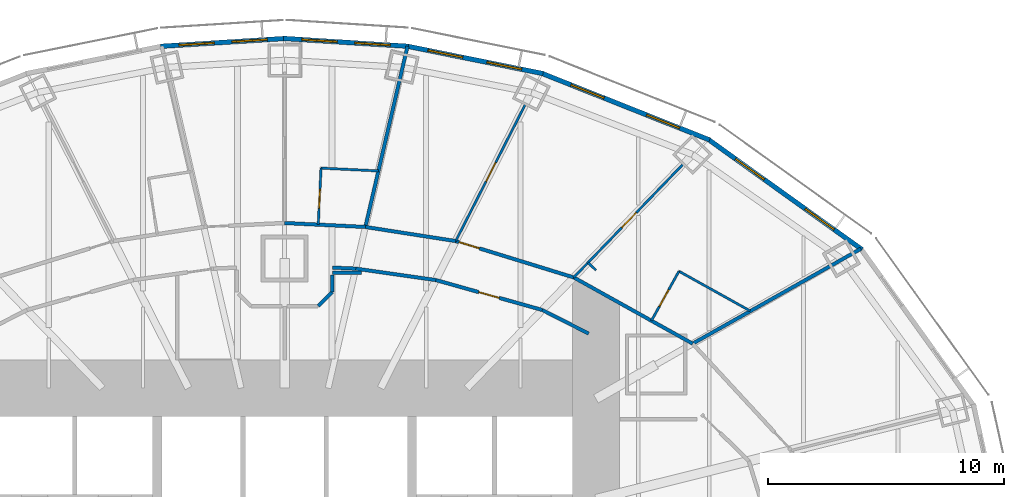
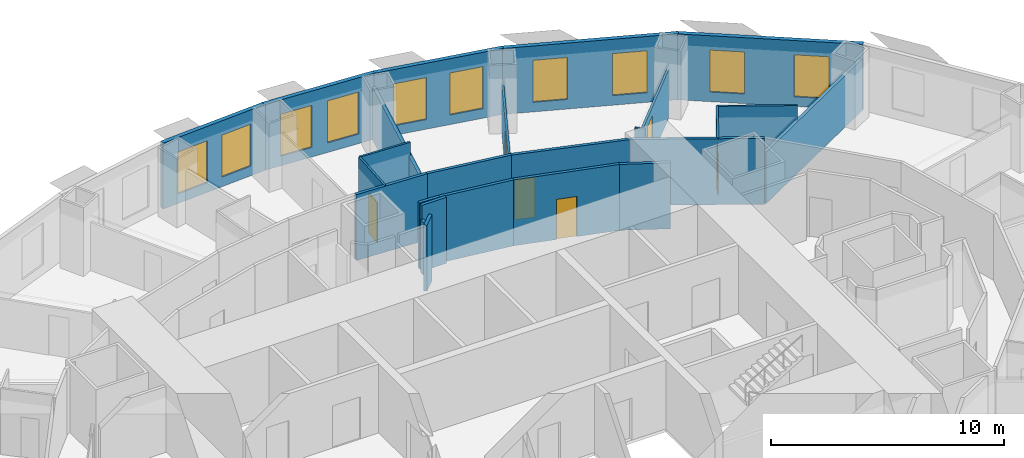
# One storey, part 10 of 15: 25 walls, 10 windows, 6 doors, 16 openings.
"""IFC4 building model written with IfcOpenShell, lengths in metres."""

from ifc_helpers import new_model, si_unit, direction, frame, frame_2d, origin, place, context, subcontext, project, spatial, rectangle, extrude, material, layer, layer_set, type_object, element, fill, save


model = new_model("IFC4")

# Units and contexts
model_context = context("Model", 3, precision=1e-05, world=origin(), true_north=direction((0.0, 1.0)))
body_context = subcontext(model_context, "Body", "Model", "MODEL_VIEW")
ifc_project = project(units=[si_unit("LENGTHUNIT", "METRE"), si_unit("AREAUNIT", "SQUARE_METRE"), si_unit("VOLUMEUNIT", "CUBIC_METRE"), si_unit("PLANEANGLEUNIT", "RADIAN"), si_unit("MASSUNIT", "GRAM", prefix="KILO")], contexts=[model_context])

# Site, building, storey
site_placement = place(None, origin())
site = spatial("IfcSite", under=ifc_project, at=site_placement, CompositionType="ELEMENT")
building_placement = place(site_placement, origin())
building = spatial("IfcBuilding", under=site, at=building_placement, Name="Lantaw Convention Tower", CompositionType="ELEMENT")
storey_placement = place(building_placement, frame((0.0, 0.0, 94.60009765625)))
storey = spatial("IfcBuildingStorey", under=building, at=storey_placement, Name="L22", CompositionType="ELEMENT", Elevation=94.60009765625)

# Walls
ifc_material_1 = material(Name="Gypsum board on steel studs", Category="steel")
ifc_layer_1 = layer(ifc_material_1, 0.14990234375)
ifc_layer_set_1 = layer_set([ifc_layer_1], Name="Back of house wall 150")
wall_type_1 = type_object("IfcWallType", Name="Back of house wall 150", PredefinedType="PARTITIONING", material=ifc_layer_set_1)
wall_1_placement = place(storey_placement, frame((3.2578125, 12.89990234375, 0.0), z_axis=(0.0, 0.0, 1.0), x_axis=(-1.0, 0.0, 0.0)))
element("IfcWall", 1, at=wall_1_placement, inside=storey, type_object=wall_type_1, Name="Back of house wall 150", PredefinedType="PARTITIONING", context=body_context, shape_type="SweptSolid", body=[
    extrude(rectangle(XDim=1.222900390625, YDim=0.14990234375, at=frame_2d((0.611328125, 0.0))), origin(), (0.0, 0.0, 1.0), 3.449951171875),
])
wall_2_placement = place(storey_placement, frame((2.02490234375, 12.796875, 0.0), z_axis=(0.0, 0.0, 1.0), x_axis=(0.0, -1.0, 0.0)))
element("IfcWall", 2, at=wall_2_placement, inside=storey, type_object=wall_type_1, Name="Back of house wall 150", PredefinedType="PARTITIONING", context=body_context, shape_type="SweptSolid", body=[
    extrude(rectangle(XDim=0.721435546875, YDim=0.14990234375, at=frame_2d((0.36083984375, 0.0))), origin(), (0.0, 0.0, 1.0), 2.748779296875),
])
wall_3_placement = place(storey_placement, frame((2.02490234375, 12.075439453125, 0.0), z_axis=(0.0, 0.0, 1.0), x_axis=(-0.707106781187, -0.707106781187, 0.0)))
element("IfcWall", 3, at=wall_3_placement, inside=storey, type_object=wall_type_1, Name="Back of house wall 150", PredefinedType="PARTITIONING", context=body_context, shape_type="SweptSolid", body=[
    extrude(rectangle(XDim=0.84912109375, YDim=0.14990234375, at=frame_2d((0.424560546875, 0.0))), origin(), (0.0, 0.0, 1.0), 3.449951171875),
])

# Wall, opening, door
ifc_material_2 = material(Name="Moisture resistant gypsum board on steel studs", Category="steel")
ifc_layer_2 = layer(ifc_material_2, 0.10009765625)
ifc_layer_set_2 = layer_set([ifc_layer_2], Name="Bathroom wall 100")
wall_type_2 = type_object("IfcWallType", Name="Bathroom wall 100", PredefinedType="PARTITIONING", material=ifc_layer_set_2)
wall_4_placement = place(storey_placement, frame((15.5517578125, 10.858154296875, 0.0), z_axis=(0.0, 0.0, 1.0), x_axis=(0.486445964861, 0.873710663361, 0.0)))
wall_4 = element("IfcWall", 4, at=wall_4_placement, inside=storey, type_object=wall_type_2, Name="Bathroom wall 100", PredefinedType="PARTITIONING", context=body_context, shape_type="SweptSolid", body=[
    extrude(rectangle(XDim=2.39990234375, YDim=0.10009765625, at=frame_2d((1.199951171875, 0.0))), origin(), (0.0, 0.0, 1.0), 3.449951171875),
])
opening_1_placement = place(wall_4_placement, frame((0.699951171875, 0.0, 0.0)))
opening_1 = element("IfcOpeningElement", 5, at=opening_1_placement, cuts=wall_4, Name="Opening L22.28", PredefinedType="OPENING", context=body_context, shape_type="SweptSolid", body=[
    extrude(rectangle(XDim=0.800048828125, YDim=2.10009765625, at=frame_2d((0.39990234375, 1.050048828125))), frame((0.0, 0.06005859375, 0.0), z_axis=(0.0, -1.0, 0.0), x_axis=(1.0, 0.0, 0.0)), (0.0, 0.0, 1.0), 0.1201171875),
])
ifc_material_3 = material(Name="Timber", Category="wood")
door_type_1 = type_object("IfcDoorType", Name="Bathroom door 800", OperationType="SINGLE_SWING_LEFT", PredefinedType="DOOR", material=ifc_material_3)
door_1_placement = place(opening_1_placement, origin())
door_1 = element("IfcDoor", 6, at=door_1_placement, inside=storey, type_object=door_type_1, Name="Bathroom door", OperationType="SINGLE_SWING_LEFT", OverallHeight=2.10009765625, OverallWidth=0.800048828125, PredefinedType="DOOR", context=body_context, shape_type="SweptSolid", body=[
    extrude(rectangle(XDim=0.800048828125, YDim=2.10009765625, at=frame_2d((0.39990234375, 1.050048828125))), frame((0.0, 0.02490234375, 0.0), z_axis=(0.0, -1.0, 0.0), x_axis=(1.0, 0.0, 0.0)), (0.0, 0.0, 1.0), 0.050048828125),
])
fill(opening_1, door_1)

# Wall
wall_5_placement = place(storey_placement, frame((16.71923828125, 12.955078125, 0.0), z_axis=(0.0, 0.0, 1.0), x_axis=(0.873676251648, -0.486507766953, 0.0)))
element("IfcWall", 7, at=wall_5_placement, inside=storey, type_object=wall_type_2, Name="Bathroom wall 100", PredefinedType="PARTITIONING", context=body_context, shape_type="SweptSolid", body=[
    extrude(rectangle(XDim=3.450439453125, YDim=0.10009765625, at=frame_2d((1.72509765625, 0.0))), origin(), (0.0, 0.0, 1.0), 3.449951171875),
])

# Wall, opening, door
wall_6_placement = place(storey_placement, frame((1.4267578125, 14.930419921875, 0.0), z_axis=(0.0, 0.0, 1.0), x_axis=(0.048831470304, 0.998807032168, 0.0)))
wall_6 = element("IfcWall", 8, at=wall_6_placement, inside=storey, type_object=wall_type_2, Name="Bathroom wall 100", PredefinedType="PARTITIONING", context=body_context, shape_type="SweptSolid", body=[
    extrude(rectangle(XDim=2.39990234375, YDim=0.10009765625, at=frame_2d((1.199951171875, 0.0))), origin(), (0.0, 0.0, 1.0), 3.449951171875),
])
opening_2_placement = place(wall_6_placement, frame((0.699951171875, 0.0, 0.0)))
opening_2 = element("IfcOpeningElement", 9, at=opening_2_placement, cuts=wall_6, Name="Opening L22.32", PredefinedType="OPENING", context=body_context, shape_type="SweptSolid", body=[
    extrude(rectangle(XDim=0.800048828125, YDim=2.10009765625, at=frame_2d((0.39990234375, 1.050048828125))), frame((0.0, 0.06005859375, 0.0), z_axis=(0.0, -1.0, 0.0), x_axis=(1.0, 0.0, 0.0)), (0.0, 0.0, 1.0), 0.1201171875),
])
door_2_placement = place(opening_2_placement, origin())
door_2 = element("IfcDoor", 10, at=door_2_placement, inside=storey, type_object=door_type_1, Name="Bathroom door", OperationType="SINGLE_SWING_LEFT", OverallHeight=2.10009765625, OverallWidth=0.800048828125, PredefinedType="DOOR", context=body_context, shape_type="SweptSolid", body=[
    extrude(rectangle(XDim=0.800048828125, YDim=2.10009765625, at=frame_2d((0.39990234375, 1.050048828125))), frame((0.0, 0.02490234375, 0.0), z_axis=(0.0, -1.0, 0.0), x_axis=(1.0, 0.0, 0.0)), (0.0, 0.0, 1.0), 0.050048828125),
])
fill(opening_2, door_2)

# Walls
wall_7_placement = place(storey_placement, frame((1.5439453125, 17.327392578125, 0.0), z_axis=(0.0, 0.0, 1.0), x_axis=(0.998813899717, -0.048690797202, 0.0)))
element("IfcWall", 11, at=wall_7_placement, inside=storey, type_object=wall_type_2, Name="Bathroom wall 100", PredefinedType="PARTITIONING", context=body_context, shape_type="SweptSolid", body=[
    extrude(rectangle(XDim=2.431884765625, YDim=0.10009765625, at=frame_2d((1.2158203125, 0.0))), origin(), (0.0, 0.0, 1.0), 3.449951171875),
])
ifc_material_4 = material(Name="Gypsum board on steel studs, fire rated", Category="steel")
ifc_layer_3 = layer(ifc_material_4, 0.14990234375)
ifc_layer_set_3 = layer_set([ifc_layer_3], Name="Corridor wall 150 EI 60")
wall_type_3 = type_object("IfcWallType", Name="Corridor wall 150 EI 60", PredefinedType="PARTITIONING", material=ifc_layer_set_3)
wall_8_placement = place(storey_placement, frame((17.299072265625, 9.88525390625, 0.0), z_axis=(0.0, 0.0, 1.0), x_axis=(-0.873695910579, 0.486472461541, 0.0)))
element("IfcWall", 12, at=wall_8_placement, inside=storey, type_object=wall_type_3, Name="Corridor wall 150", PredefinedType="PARTITIONING", context=body_context, shape_type="SweptSolid", body=[
    extrude(rectangle(XDim=5.77099609375, YDim=0.14990234375, at=frame_2d((2.885498046875, 0.0))), origin(), (0.0, 0.0, 1.0), 3.449951171875),
])

# Wall, opening, door
wall_9_placement = place(storey_placement, frame((12.257080078125, 12.692626953125, 0.0), z_axis=(0.0, 0.0, 1.0), x_axis=(-0.955657956744, 0.294478980085, 0.0)))
wall_9 = element("IfcWall", 13, at=wall_9_placement, inside=storey, type_object=wall_type_3, Name="Corridor wall 150", PredefinedType="PARTITIONING", context=body_context, shape_type="SweptSolid", body=[
    extrude(rectangle(XDim=5.236328125, YDim=0.14990234375, at=frame_2d((2.6181640625, 0.0))), origin(), (0.0, 0.0, 1.0), 3.449951171875),
])
opening_3_placement = place(wall_9_placement, frame((4.186279296875, 0.0, 0.0)))
opening_3 = element("IfcOpeningElement", 14, at=opening_3_placement, cuts=wall_9, Name="Opening L22.31", PredefinedType="OPENING", context=body_context, shape_type="SweptSolid", body=[
    extrude(rectangle(XDim=0.89990234375, YDim=2.10009765625, at=frame_2d((0.449951171875, 1.050048828125))), frame((0.0, 0.0849609375, 0.0), z_axis=(0.0, -1.0, 0.0), x_axis=(1.0, 0.0, 0.0)), (0.0, 0.0, 1.0), 0.169921875),
])
ifc_material_5 = material(Name="Steel, fire rated", Category="steel")
door_type_2 = type_object("IfcDoorType", Name="Guest room entrance door FD30S", OperationType="SINGLE_SWING_LEFT", PredefinedType="DOOR", material=ifc_material_5)
door_3_placement = place(opening_3_placement, origin())
door_3 = element("IfcDoor", 15, at=door_3_placement, inside=storey, type_object=door_type_2, Name="Suite entrance door", OperationType="SINGLE_SWING_LEFT", OverallHeight=2.10009765625, OverallWidth=0.89990234375, PredefinedType="DOOR", context=body_context, shape_type="SweptSolid", body=[
    extrude(rectangle(XDim=0.89990234375, YDim=2.10009765625, at=frame_2d((0.449951171875, 1.050048828125))), frame((0.0, 0.02490234375, 0.0), z_axis=(0.0, -1.0, 0.0), x_axis=(1.0, 0.0, 0.0)), (0.0, 0.0, 1.0), 0.050048828125),
])
fill(opening_3, door_3)

# Walls
wall_10_placement = place(storey_placement, frame((7.2529296875, 14.234619140625, 0.0), z_axis=(0.0, 0.0, 1.0), x_axis=(-0.988015036573, 0.154357660987, 0.0)))
element("IfcWall", 16, at=wall_10_placement, inside=storey, type_object=wall_type_3, Name="Corridor wall 150", PredefinedType="PARTITIONING", context=body_context, shape_type="SweptSolid", body=[
    extrude(rectangle(XDim=3.875, YDim=0.14990234375, at=frame_2d((1.9375, 0.0))), origin(), (0.0, 0.0, 1.0), 3.449951171875),
])
wall_11_placement = place(storey_placement, frame((3.42431640625, 14.832763671875, 0.0), z_axis=(0.0, 0.0, 1.0), x_axis=(-0.998809560203, 0.048779733975, 0.0)))
element("IfcWall", 17, at=wall_11_placement, inside=storey, type_object=wall_type_3, Name="Corridor wall 150", PredefinedType="PARTITIONING", context=body_context, shape_type="SweptSolid", body=[
    extrude(rectangle(XDim=3.428466796875, YDim=0.14990234375, at=frame_2d((1.71435546875, 0.0))), origin(), (0.0, 0.0, 1.0), 3.449951171875),
])

# Wall, opening, door
wall_12_placement = place(storey_placement, frame((10.92431640625, 11.3125, 0.0), z_axis=(0.0, 0.0, 1.0), x_axis=(-0.962643729928, 0.270771211967, 0.0)))
wall_12 = element("IfcWall", 18, at=wall_12_placement, inside=storey, type_object=wall_type_3, Name="Corridor wall 150", PredefinedType="PARTITIONING", context=body_context, shape_type="SweptSolid", body=[
    extrude(rectangle(XDim=4.6884765625, YDim=0.14990234375, at=frame_2d((2.34423828125, 0.0))), origin(), (0.0, 0.0, 1.0), 3.449951171875),
])
opening_4_placement = place(wall_12_placement, frame((1.894287109375, 0.0, 0.0)))
opening_4 = element("IfcOpeningElement", 19, at=opening_4_placement, cuts=wall_12, Name="Opening L22.16", PredefinedType="OPENING", context=body_context, shape_type="SweptSolid", body=[
    extrude(rectangle(XDim=0.89990234375, YDim=2.10009765625, at=frame_2d((0.449951171875, 1.050048828125))), frame((0.0, 0.0849609375, 0.0), z_axis=(0.0, -1.0, 0.0), x_axis=(1.0, 0.0, 0.0)), (0.0, 0.0, 1.0), 0.169921875),
])
door_type_3 = type_object("IfcDoorType", Name="Service door 900 FD30", OperationType="SINGLE_SWING_LEFT", PredefinedType="DOOR", material=ifc_material_5)
door_4_placement = place(opening_4_placement, origin())
door_4 = element("IfcDoor", 20, at=door_4_placement, inside=storey, type_object=door_type_3, Name="Linen store room door", OperationType="SINGLE_SWING_LEFT", OverallHeight=2.10009765625, OverallWidth=0.89990234375, PredefinedType="DOOR", context=body_context, shape_type="SweptSolid", body=[
    extrude(rectangle(XDim=0.89990234375, YDim=2.10009765625, at=frame_2d((0.449951171875, 1.050048828125))), frame((0.0, 0.02490234375, 0.0), z_axis=(0.0, -1.0, 0.0), x_axis=(1.0, 0.0, 0.0)), (0.0, 0.0, 1.0), 0.050048828125),
])
fill(opening_4, door_4)

# Walls
wall_13_placement = place(storey_placement, frame((6.410888671875, 12.58203125, 0.0), z_axis=(0.0, 0.0, 1.0), x_axis=(-0.990002114939, 0.14105251652, 0.0)))
element("IfcWall", 21, at=wall_13_placement, inside=storey, type_object=wall_type_3, Name="Corridor wall 150", PredefinedType="PARTITIONING", context=body_context, shape_type="SweptSolid", body=[
    extrude(rectangle(XDim=3.4287109375, YDim=0.14990234375, at=frame_2d((1.71435546875, 0.0))), origin(), (0.0, 0.0, 1.0), 3.449951171875),
])
wall_14_placement = place(storey_placement, frame((3.016357421875, 13.065673828125, 0.0), z_axis=(0.0, 0.0, 1.0), x_axis=(-0.999010128674, 0.044483286824, 0.0)))
element("IfcWall", 22, at=wall_14_placement, inside=storey, type_object=wall_type_3, Name="Corridor wall 150", PredefinedType="PARTITIONING", context=body_context, shape_type="SweptSolid", body=[
    extrude(rectangle(XDim=0.982421875, YDim=0.14990234375, at=frame_2d((0.4912109375, 0.0))), origin(), (0.0, 0.0, 1.0), 3.449951171875),
])
wall_15_placement = place(storey_placement, frame((12.889892578125, 10.31298828125, 0.0), z_axis=(0.0, 0.0, 1.0), x_axis=(-0.891372999417, 0.453270532805, 0.0)))
element("IfcWall", 23, at=wall_15_placement, inside=storey, type_object=wall_type_3, Name="Corridor wall 150", PredefinedType="PARTITIONING", context=body_context, shape_type="SweptSolid", body=[
    extrude(rectangle(XDim=2.205078125, YDim=0.14990234375, at=frame_2d((1.1025390625, 0.0))), origin(), (0.0, 0.0, 1.0), 3.449951171875),
])

# Wall, openings, windows
ifc_material_6 = material(Name="Insulated aluminium panel on steel frame", Category="steel")
ifc_layer_4 = layer(ifc_material_6, 0.199951171875)
ifc_layer_set_4 = layer_set([ifc_layer_4], Name="External wall 200")
wall_type_4 = type_object("IfcWallType", Name="External wall 200", PredefinedType="SOLIDWALL", material=ifc_layer_set_4)
wall_16_placement = place(storey_placement, frame((24.482421875, 13.87451171875, 0.0), z_axis=(0.0, 0.0, 1.0), x_axis=(-0.812791321576, 0.582554948112, 0.0)))
wall_16 = element("IfcWall", 24, at=wall_16_placement, inside=storey, type_object=wall_type_4, Name="Facade panel wall", PredefinedType="SOLIDWALL", context=body_context, shape_type="SweptSolid", body=[
    extrude(rectangle(XDim=8.063232421875, YDim=0.199951171875, at=frame_2d((4.03173828125, 0.0))), origin(), (0.0, 0.0, 1.0), 3.449951171875),
])
opening_5_placement = place(wall_16_placement, frame((1.4658203125, 0.0, 0.5)))
opening_5 = element("IfcOpeningElement", 25, at=opening_5_placement, cuts=wall_16, Name="Opening W2", PredefinedType="OPENING", context=body_context, shape_type="SweptSolid", body=[
    extrude(rectangle(XDim=1.5, YDim=2.199951171875, at=frame_2d((0.75, 1.10009765625))), frame((0.0, 0.10986328125, 0.0), z_axis=(0.0, -1.0, 0.0), x_axis=(1.0, 0.0, 0.0)), (0.0, 0.0, 1.0), 0.219970703125),
])
opening_6_placement = place(wall_16_placement, frame((5.097412109375, 0.0, 0.5)))
opening_6 = element("IfcOpeningElement", 26, at=opening_6_placement, cuts=wall_16, Name="Opening W2", PredefinedType="OPENING", context=body_context, shape_type="SweptSolid", body=[
    extrude(rectangle(XDim=1.5, YDim=2.199951171875, at=frame_2d((0.75, 1.10009765625))), frame((0.0, 0.10986328125, 0.0), z_axis=(0.0, -1.0, 0.0), x_axis=(1.0, 0.0, 0.0)), (0.0, 0.0, 1.0), 0.219970703125),
])
ifc_material_7 = material(Name="Aluminium frame, clear insulating glass", Category="aluminium")
window_type = type_object("IfcWindowType", Name="Suite window 1500x2200", PartitioningType="SINGLE_PANEL", PredefinedType="WINDOW", material=ifc_material_7)
window_1_placement = place(opening_5_placement, origin())
window_1 = element("IfcWindow", 27, at=window_1_placement, inside=storey, type_object=window_type, Name="Guest room window", OverallHeight=2.199951171875, OverallWidth=1.5, PartitioningType="SINGLE_PANEL", PredefinedType="WINDOW", context=body_context, shape_type="SweptSolid", body=[
    extrude(rectangle(XDim=1.5, YDim=2.199951171875, at=frame_2d((0.75, 1.10009765625))), frame((0.0, 0.030029296875, 0.0), z_axis=(0.0, -1.0, 0.0), x_axis=(1.0, 0.0, 0.0)), (0.0, 0.0, 1.0), 0.06005859375),
])
fill(opening_5, window_1)
window_2_placement = place(opening_6_placement, origin())
window_2 = element("IfcWindow", 28, at=window_2_placement, inside=storey, type_object=window_type, Name="Guest room window", OverallHeight=2.199951171875, OverallWidth=1.5, PartitioningType="SINGLE_PANEL", PredefinedType="WINDOW", context=body_context, shape_type="SweptSolid", body=[
    extrude(rectangle(XDim=1.5, YDim=2.199951171875, at=frame_2d((0.75, 1.10009765625))), frame((0.0, 0.030029296875, 0.0), z_axis=(0.0, -1.0, 0.0), x_axis=(1.0, 0.0, 0.0)), (0.0, 0.0, 1.0), 0.06005859375),
])
fill(opening_6, window_2)

wall_17_placement = place(storey_placement, frame((18.018310546875, 18.522705078125, 0.0), z_axis=(0.0, 0.0, 1.0), x_axis=(-0.929358351251, 0.369178892895, 0.0)))
wall_17 = element("IfcWall", 29, at=wall_17_placement, inside=storey, type_object=wall_type_4, Name="Facade panel wall", PredefinedType="SOLIDWALL", context=body_context, shape_type="SweptSolid", body=[
    extrude(rectangle(XDim=7.6923828125, YDim=0.199951171875, at=frame_2d((3.84619140625, 0.0))), origin(), (0.0, 0.0, 1.0), 3.449951171875),
])
opening_7_placement = place(wall_17_placement, frame((1.373046875, 0.0, 0.5)))
opening_7 = element("IfcOpeningElement", 30, at=opening_7_placement, cuts=wall_17, Name="Opening W2", PredefinedType="OPENING", context=body_context, shape_type="SweptSolid", body=[
    extrude(rectangle(XDim=1.5, YDim=2.199951171875, at=frame_2d((0.75, 1.10009765625))), frame((0.0, 0.10986328125, 0.0), z_axis=(0.0, -1.0, 0.0), x_axis=(1.0, 0.0, 0.0)), (0.0, 0.0, 1.0), 0.219970703125),
])
opening_8_placement = place(wall_17_placement, frame((4.819091796875, 0.0, 0.5)))
opening_8 = element("IfcOpeningElement", 31, at=opening_8_placement, cuts=wall_17, Name="Opening W2", PredefinedType="OPENING", context=body_context, shape_type="SweptSolid", body=[
    extrude(rectangle(XDim=1.5, YDim=2.199951171875, at=frame_2d((0.75, 1.10009765625))), frame((0.0, 0.10986328125, 0.0), z_axis=(0.0, -1.0, 0.0), x_axis=(1.0, 0.0, 0.0)), (0.0, 0.0, 1.0), 0.219970703125),
])
window_3_placement = place(opening_7_placement, origin())
window_3 = element("IfcWindow", 32, at=window_3_placement, inside=storey, type_object=window_type, Name="Guest room window", OverallHeight=2.199951171875, OverallWidth=1.5, PartitioningType="SINGLE_PANEL", PredefinedType="WINDOW", context=body_context, shape_type="SweptSolid", body=[
    extrude(rectangle(XDim=1.5, YDim=2.199951171875, at=frame_2d((0.75, 1.10009765625))), frame((0.0, 0.030029296875, 0.0), z_axis=(0.0, -1.0, 0.0), x_axis=(1.0, 0.0, 0.0)), (0.0, 0.0, 1.0), 0.06005859375),
])
fill(opening_7, window_3)
window_4_placement = place(opening_8_placement, origin())
window_4 = element("IfcWindow", 33, at=window_4_placement, inside=storey, type_object=window_type, Name="Guest room window", OverallHeight=2.199951171875, OverallWidth=1.5, PartitioningType="SINGLE_PANEL", PredefinedType="WINDOW", context=body_context, shape_type="SweptSolid", body=[
    extrude(rectangle(XDim=1.5, YDim=2.199951171875, at=frame_2d((0.75, 1.10009765625))), frame((0.0, 0.030029296875, 0.0), z_axis=(0.0, -1.0, 0.0), x_axis=(1.0, 0.0, 0.0)), (0.0, 0.0, 1.0), 0.06005859375),
])
fill(opening_8, window_4)

wall_18_placement = place(storey_placement, frame((10.956787109375, 21.336669921875, 0.0), z_axis=(0.0, 0.0, 1.0), x_axis=(-0.980251657452, 0.197754110105, 0.0)))
wall_18 = element("IfcWall", 34, at=wall_18_placement, inside=storey, type_object=wall_type_4, Name="Facade panel wall", PredefinedType="SOLIDWALL", context=body_context, shape_type="SweptSolid", body=[
    extrude(rectangle(XDim=5.90380859375, YDim=0.199951171875, at=frame_2d((2.951904296875, 0.0))), origin(), (0.0, 0.0, 1.0), 3.449951171875),
])
opening_9_placement = place(wall_18_placement, frame((0.92578125, 0.0, 0.5)))
opening_9 = element("IfcOpeningElement", 35, at=opening_9_placement, cuts=wall_18, Name="Opening W2", PredefinedType="OPENING", context=body_context, shape_type="SweptSolid", body=[
    extrude(rectangle(XDim=1.5, YDim=2.199951171875, at=frame_2d((0.75, 1.10009765625))), frame((0.0, 0.10986328125, 0.0), z_axis=(0.0, -1.0, 0.0), x_axis=(1.0, 0.0, 0.0)), (0.0, 0.0, 1.0), 0.219970703125),
])
opening_10_placement = place(wall_18_placement, frame((3.477783203125, 0.0, 0.5)))
opening_10 = element("IfcOpeningElement", 36, at=opening_10_placement, cuts=wall_18, Name="Opening W2", PredefinedType="OPENING", context=body_context, shape_type="SweptSolid", body=[
    extrude(rectangle(XDim=1.5, YDim=2.199951171875, at=frame_2d((0.75, 1.10009765625))), frame((0.0, 0.10986328125, 0.0), z_axis=(0.0, -1.0, 0.0), x_axis=(1.0, 0.0, 0.0)), (0.0, 0.0, 1.0), 0.219970703125),
])
window_5_placement = place(opening_9_placement, origin())
window_5 = element("IfcWindow", 37, at=window_5_placement, inside=storey, type_object=window_type, Name="Guest room window", OverallHeight=2.199951171875, OverallWidth=1.5, PartitioningType="SINGLE_PANEL", PredefinedType="WINDOW", context=body_context, shape_type="SweptSolid", body=[
    extrude(rectangle(XDim=1.5, YDim=2.199951171875, at=frame_2d((0.75, 1.10009765625))), frame((0.0, 0.030029296875, 0.0), z_axis=(0.0, -1.0, 0.0), x_axis=(1.0, 0.0, 0.0)), (0.0, 0.0, 1.0), 0.06005859375),
])
fill(opening_9, window_5)
window_6_placement = place(opening_10_placement, origin())
window_6 = element("IfcWindow", 38, at=window_6_placement, inside=storey, type_object=window_type, Name="Guest room window", OverallHeight=2.199951171875, OverallWidth=1.5, PartitioningType="SINGLE_PANEL", PredefinedType="WINDOW", context=body_context, shape_type="SweptSolid", body=[
    extrude(rectangle(XDim=1.5, YDim=2.199951171875, at=frame_2d((0.75, 1.10009765625))), frame((0.0, 0.030029296875, 0.0), z_axis=(0.0, -1.0, 0.0), x_axis=(1.0, 0.0, 0.0)), (0.0, 0.0, 1.0), 0.06005859375),
])
fill(opening_10, window_6)

wall_19_placement = place(storey_placement, frame((5.252685546875, 22.493408203125, 0.0), z_axis=(0.0, 0.0, 1.0), x_axis=(-0.998018582375, 0.062919863585, 0.0)))
wall_19 = element("IfcWall", 39, at=wall_19_placement, inside=storey, type_object=wall_type_4, Name="Facade panel wall", PredefinedType="SOLIDWALL", context=body_context, shape_type="SweptSolid", body=[
    extrude(rectangle(XDim=5.30419921875, YDim=0.199951171875, at=frame_2d((2.652099609375, 0.0))), origin(), (0.0, 0.0, 1.0), 3.449951171875),
])
opening_11_placement = place(wall_19_placement, frame((0.77587890625, 0.0, 0.5)))
opening_11 = element("IfcOpeningElement", 40, at=opening_11_placement, cuts=wall_19, Name="Opening W2", PredefinedType="OPENING", context=body_context, shape_type="SweptSolid", body=[
    extrude(rectangle(XDim=1.5, YDim=2.199951171875, at=frame_2d((0.75, 1.10009765625))), frame((0.0, 0.10986328125, 0.0), z_axis=(0.0, -1.0, 0.0), x_axis=(1.0, 0.0, 0.0)), (0.0, 0.0, 1.0), 0.219970703125),
])
opening_12_placement = place(wall_19_placement, frame((3.028076171875, 0.0, 0.5)))
opening_12 = element("IfcOpeningElement", 41, at=opening_12_placement, cuts=wall_19, Name="Opening W2", PredefinedType="OPENING", context=body_context, shape_type="SweptSolid", body=[
    extrude(rectangle(XDim=1.5, YDim=2.199951171875, at=frame_2d((0.75, 1.10009765625))), frame((0.0, 0.10986328125, 0.0), z_axis=(0.0, -1.0, 0.0), x_axis=(1.0, 0.0, 0.0)), (0.0, 0.0, 1.0), 0.219970703125),
])
window_7_placement = place(opening_11_placement, origin())
window_7 = element("IfcWindow", 42, at=window_7_placement, inside=storey, type_object=window_type, Name="Guest room window", OverallHeight=2.199951171875, OverallWidth=1.5, PartitioningType="SINGLE_PANEL", PredefinedType="WINDOW", context=body_context, shape_type="SweptSolid", body=[
    extrude(rectangle(XDim=1.5, YDim=2.199951171875, at=frame_2d((0.75, 1.10009765625))), frame((0.0, 0.030029296875, 0.0), z_axis=(0.0, -1.0, 0.0), x_axis=(1.0, 0.0, 0.0)), (0.0, 0.0, 1.0), 0.06005859375),
])
fill(opening_11, window_7)
window_8_placement = place(opening_12_placement, origin())
window_8 = element("IfcWindow", 43, at=window_8_placement, inside=storey, type_object=window_type, Name="Guest room window", OverallHeight=2.199951171875, OverallWidth=1.5, PartitioningType="SINGLE_PANEL", PredefinedType="WINDOW", context=body_context, shape_type="SweptSolid", body=[
    extrude(rectangle(XDim=1.5, YDim=2.199951171875, at=frame_2d((0.75, 1.10009765625))), frame((0.0, 0.030029296875, 0.0), z_axis=(0.0, -1.0, 0.0), x_axis=(1.0, 0.0, 0.0)), (0.0, 0.0, 1.0), 0.06005859375),
])
fill(opening_12, window_8)

wall_20_placement = place(storey_placement, frame((0.041015625, 22.8271484375, 0.0), z_axis=(0.0, 0.0, 1.0), x_axis=(-0.998018582375, -0.062919863585, 0.0)))
wall_20 = element("IfcWall", 44, at=wall_20_placement, inside=storey, type_object=wall_type_4, Name="Facade panel wall", PredefinedType="SOLIDWALL", context=body_context, shape_type="SweptSolid", body=[
    extrude(rectangle(XDim=5.30419921875, YDim=0.199951171875, at=frame_2d((2.652099609375, 0.0))), origin(), (0.0, 0.0, 1.0), 3.449951171875),
])
opening_13_placement = place(wall_20_placement, frame((0.77587890625, 0.0, 0.5)))
opening_13 = element("IfcOpeningElement", 45, at=opening_13_placement, cuts=wall_20, Name="Opening W2", PredefinedType="OPENING", context=body_context, shape_type="SweptSolid", body=[
    extrude(rectangle(XDim=1.5, YDim=2.199951171875, at=frame_2d((0.75, 1.10009765625))), frame((0.0, 0.10986328125, 0.0), z_axis=(0.0, -1.0, 0.0), x_axis=(1.0, 0.0, 0.0)), (0.0, 0.0, 1.0), 0.219970703125),
])
opening_14_placement = place(wall_20_placement, frame((3.028076171875, 0.0, 0.5)))
opening_14 = element("IfcOpeningElement", 46, at=opening_14_placement, cuts=wall_20, Name="Opening W2", PredefinedType="OPENING", context=body_context, shape_type="SweptSolid", body=[
    extrude(rectangle(XDim=1.5, YDim=2.199951171875, at=frame_2d((0.75, 1.10009765625))), frame((0.0, 0.10986328125, 0.0), z_axis=(0.0, -1.0, 0.0), x_axis=(1.0, 0.0, 0.0)), (0.0, 0.0, 1.0), 0.219970703125),
])
window_9_placement = place(opening_13_placement, origin())
window_9 = element("IfcWindow", 47, at=window_9_placement, inside=storey, type_object=window_type, Name="Guest room window", OverallHeight=2.199951171875, OverallWidth=1.5, PartitioningType="SINGLE_PANEL", PredefinedType="WINDOW", context=body_context, shape_type="SweptSolid", body=[
    extrude(rectangle(XDim=1.5, YDim=2.199951171875, at=frame_2d((0.75, 1.10009765625))), frame((0.0, 0.030029296875, 0.0), z_axis=(0.0, -1.0, 0.0), x_axis=(1.0, 0.0, 0.0)), (0.0, 0.0, 1.0), 0.06005859375),
])
fill(opening_13, window_9)
window_10_placement = place(opening_14_placement, origin())
window_10 = element("IfcWindow", 48, at=window_10_placement, inside=storey, type_object=window_type, Name="Guest room window", OverallHeight=2.199951171875, OverallWidth=1.5, PartitioningType="SINGLE_PANEL", PredefinedType="WINDOW", context=body_context, shape_type="SweptSolid", body=[
    extrude(rectangle(XDim=1.5, YDim=2.199951171875, at=frame_2d((0.75, 1.10009765625))), frame((0.0, 0.030029296875, 0.0), z_axis=(0.0, -1.0, 0.0), x_axis=(1.0, 0.0, 0.0)), (0.0, 0.0, 1.0), 0.06005859375),
])
fill(opening_14, window_10)

# Walls
ifc_material_8 = material(Name="Gypsum board on steel studs, acoustic", Category="steel")
ifc_layer_5 = layer(ifc_material_8, 0.14990234375)
ifc_layer_set_5 = layer_set([ifc_layer_5], Name="Guest room party wall 150")
wall_type_5 = type_object("IfcWallType", Name="Guest room party wall 150", PredefinedType="PARTITIONING", material=ifc_layer_set_5)
wall_21_placement = place(storey_placement, frame((24.434814453125, 13.90869140625, 0.0), z_axis=(0.0, 0.0, 1.0), x_axis=(-0.871075246657, -0.491149584813, 0.0)))
element("IfcWall", 49, at=wall_21_placement, inside=storey, type_object=wall_type_5, Name="Guest room party wall 150", PredefinedType="PARTITIONING", context=body_context, shape_type="SweptSolid", body=[
    extrude(rectangle(XDim=8.19189453125, YDim=0.14990234375, at=frame_2d((4.095947265625, 0.0))), origin(), (0.0, 0.0, 1.0), 2.69287109375),
])
wall_22_placement = place(storey_placement, frame((5.2109375, 22.495849609375, 0.0), z_axis=(0.0, 0.0, 1.0), x_axis=(-0.227056984461, -0.973881474209, 0.0)))
element("IfcWall", 50, at=wall_22_placement, inside=storey, type_object=wall_type_5, Name="Guest room party wall 150", PredefinedType="PARTITIONING", context=body_context, shape_type="SweptSolid", body=[
    extrude(rectangle(XDim=7.86865234375, YDim=0.14990234375, at=frame_2d((3.934326171875, 0.0))), origin(), (0.0, 0.0, 1.0), 2.7666015625),
])
ifc_layer_6 = layer(ifc_material_8, 0.10009765625)
ifc_layer_set_6 = layer_set([ifc_layer_6], Name="Office partition 100")
wall_type_6 = type_object("IfcWallType", Name="Office partition 100", PredefinedType="PARTITIONING", material=ifc_layer_set_6)
wall_23_placement = place(storey_placement, frame((13.199951171875, 13.0, 0.0), z_axis=(0.0, 0.0, 1.0), x_axis=(-0.719347134512, 0.69465077562, 0.0)))
element("IfcWall", 51, at=wall_23_placement, inside=storey, type_object=wall_type_6, Name="Office partition 100", PredefinedType="PARTITIONING", context=body_context, shape_type="SweptSolid", body=[
    extrude(rectangle(XDim=0.464599609375, YDim=0.10009765625, at=frame_2d((0.232421875, 0.0))), origin(), (0.0, 0.0, 1.0), 3.449951171875),
])

# Wall, opening, door
ifc_layer_7 = layer(ifc_material_1, 0.10009765625)
ifc_layer_set_7 = layer_set([ifc_layer_7], Name="Suite partition 100")
wall_type_7 = type_object("IfcWallType", Name="Suite partition 100", PredefinedType="PARTITIONING", material=ifc_layer_set_7)
wall_24_placement = place(storey_placement, frame((16.943603515625, 17.54541015625, 0.0), z_axis=(0.0, 0.0, 1.0), x_axis=(-0.694677175107, -0.719321640426, 0.0)))
wall_24 = element("IfcWall", 52, at=wall_24_placement, inside=storey, type_object=wall_type_7, Name="Suite partition 100", PredefinedType="PARTITIONING", context=body_context, shape_type="SweptSolid", body=[
    extrude(rectangle(XDim=6.746337890625, YDim=0.10009765625, at=frame_2d((3.373046875, 0.0))), origin(), (0.0, 0.0, 1.0), 2.52783203125),
])
opening_15_placement = place(wall_24_placement, frame((2.923095703125, 0.0, 0.0)))
opening_15 = element("IfcOpeningElement", 53, at=opening_15_placement, cuts=wall_24, Name="Opening L22.29", PredefinedType="OPENING", context=body_context, shape_type="SweptSolid", body=[
    extrude(rectangle(XDim=0.89990234375, YDim=2.10009765625, at=frame_2d((0.449951171875, 1.050048828125))), frame((0.0, 0.06005859375, 0.0), z_axis=(0.0, -1.0, 0.0), x_axis=(1.0, 0.0, 0.0)), (0.0, 0.0, 1.0), 0.1201171875),
])
door_type_4 = type_object("IfcDoorType", Name="Suite door 900", OperationType="SINGLE_SWING_LEFT", PredefinedType="DOOR", material=ifc_material_3)
door_5_placement = place(opening_15_placement, origin())
door_5 = element("IfcDoor", 54, at=door_5_placement, inside=storey, type_object=door_type_4, Name="Bedroom door", OperationType="SINGLE_SWING_LEFT", OverallHeight=2.10009765625, OverallWidth=0.89990234375, PredefinedType="DOOR", context=body_context, shape_type="SweptSolid", body=[
    extrude(rectangle(XDim=0.89990234375, YDim=2.10009765625, at=frame_2d((0.449951171875, 1.050048828125))), frame((0.0, 0.02490234375, 0.0), z_axis=(0.0, -1.0, 0.0), x_axis=(1.0, 0.0, 0.0)), (0.0, 0.0, 1.0), 0.050048828125),
])
fill(opening_15, door_5)

wall_25_placement = place(storey_placement, frame((10.235595703125, 20.08837890625, 0.0), z_axis=(0.0, 0.0, 1.0), x_axis=(-0.453993694696, -0.89100489627, 0.0)))
wall_25 = element("IfcWall", 55, at=wall_25_placement, inside=storey, type_object=wall_type_7, Name="Suite partition 100", PredefinedType="PARTITIONING", context=body_context, shape_type="SweptSolid", body=[
    extrude(rectangle(XDim=6.56982421875, YDim=0.10009765625, at=frame_2d((3.284912109375, 0.0))), origin(), (0.0, 0.0, 1.0), 2.52783203125),
])
opening_16_placement = place(wall_25_placement, frame((2.8349609375, 0.0, 0.0)))
opening_16 = element("IfcOpeningElement", 56, at=opening_16_placement, cuts=wall_25, Name="Opening L22.30", PredefinedType="OPENING", context=body_context, shape_type="SweptSolid", body=[
    extrude(rectangle(XDim=0.89990234375, YDim=2.10009765625, at=frame_2d((0.449951171875, 1.050048828125))), frame((0.0, 0.06005859375, 0.0), z_axis=(0.0, -1.0, 0.0), x_axis=(1.0, 0.0, 0.0)), (0.0, 0.0, 1.0), 0.1201171875),
])
door_6_placement = place(opening_16_placement, origin())
door_6 = element("IfcDoor", 57, at=door_6_placement, inside=storey, type_object=door_type_4, Name="Kitchenette door", OperationType="SINGLE_SWING_LEFT", OverallHeight=2.10009765625, OverallWidth=0.89990234375, PredefinedType="DOOR", context=body_context, shape_type="SweptSolid", body=[
    extrude(rectangle(XDim=0.89990234375, YDim=2.10009765625, at=frame_2d((0.449951171875, 1.050048828125))), frame((0.0, 0.02490234375, 0.0), z_axis=(0.0, -1.0, 0.0), x_axis=(1.0, 0.0, 0.0)), (0.0, 0.0, 1.0), 0.050048828125),
])
fill(opening_16, door_6)

save(model, "model.ifc")
